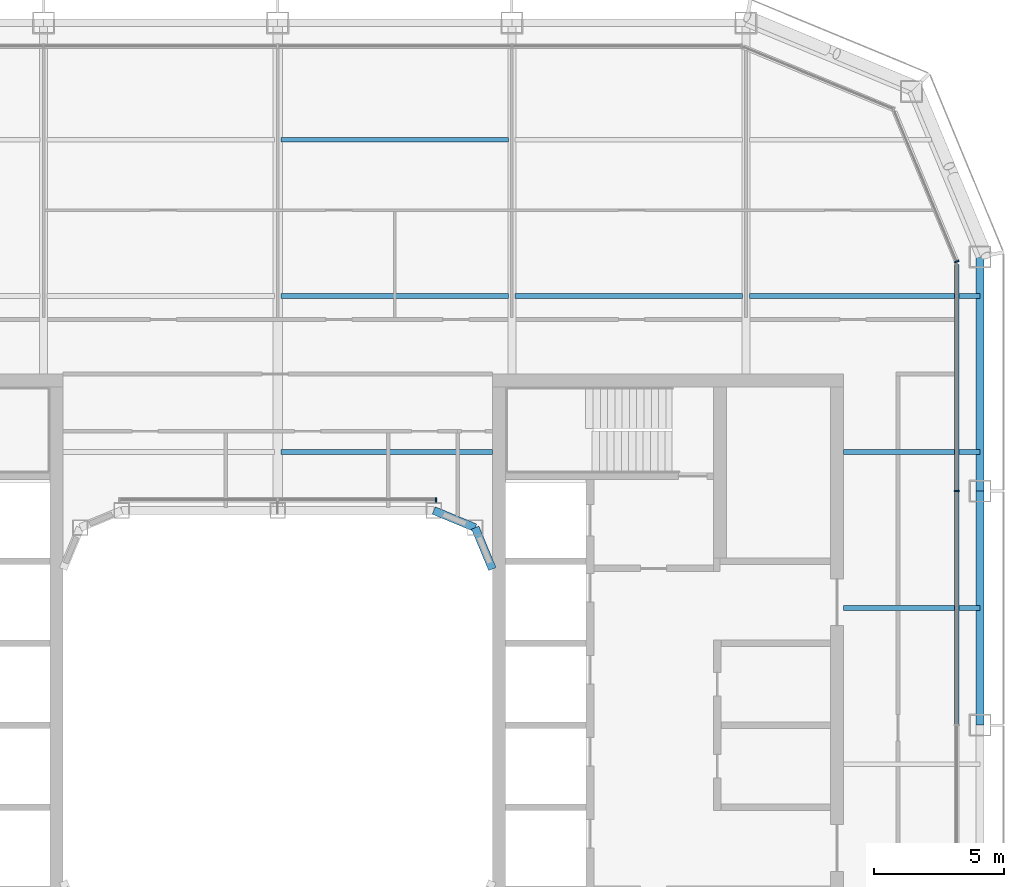
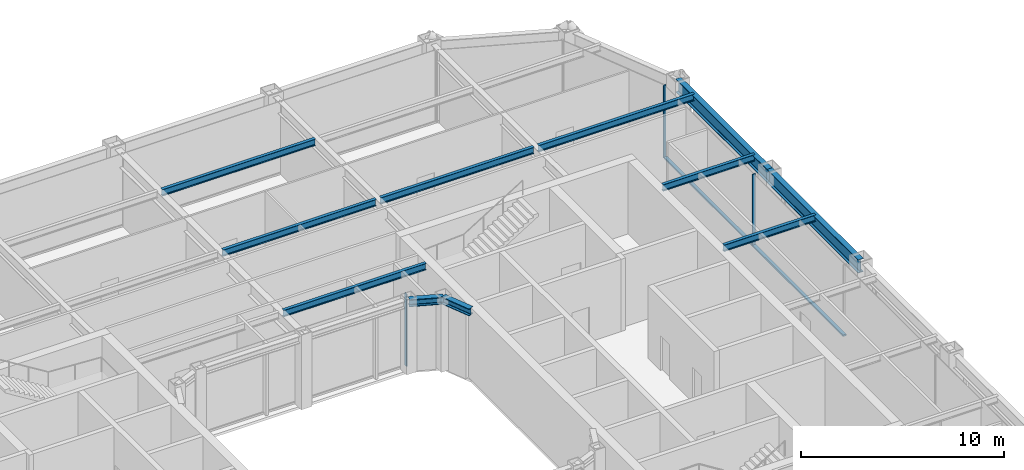
# One storey, part 9 of 23: 11 beams, 5 members, 3 elements without a shape of their own.
"""IFC4 building model written with IfcOpenShell, lengths in metres."""

from ifc_helpers import new_model, si_unit, direction, frame, origin, origin_2d, place, context, subcontext, project, spatial, rectangle, i_section, extrude, material, layer, layer_set, material_profile, profile_set, type_object, element, aggregate, save


model = new_model("IFC4")

# Units and contexts
model_context = context("Model", 3, precision=1e-05, world=origin(), true_north=direction((0.0, 1.0)))
body_context = subcontext(model_context, "Body", "Model", "MODEL_VIEW")
ifc_project = project(units=[si_unit("LENGTHUNIT", "METRE"), si_unit("AREAUNIT", "SQUARE_METRE"), si_unit("VOLUMEUNIT", "CUBIC_METRE"), si_unit("PLANEANGLEUNIT", "RADIAN"), si_unit("MASSUNIT", "GRAM", prefix="KILO")], contexts=[model_context])

# Site, building, storey
site_placement = place(None, origin())
site = spatial("IfcSite", under=ifc_project, at=site_placement, CompositionType="ELEMENT")
building_placement = place(site_placement, origin())
building = spatial("IfcBuilding", under=site, at=building_placement, Name="Siwar Civic Tower", CompositionType="ELEMENT")
storey_placement = place(building_placement, frame((0.0, 0.0, 197.199951171875)))
storey = spatial("IfcBuildingStorey", under=building, at=storey_placement, Name="L42", CompositionType="ELEMENT", Elevation=197.199951171875)

# Curtain wall, member
ifc_material_1 = material(Name="Aluminium and glass", Category="aluminium")
ifc_layer_1 = layer(ifc_material_1, 0.179931640625)
ifc_layer_set_1 = layer_set([ifc_layer_1], Name="Aluminium and glass")
curtain_wall_type_1 = type_object("IfcCurtainWallType", Name="ENV-CW-C", PredefinedType="NOTDEFINED", material=ifc_layer_set_1)
curtain_wall_1_placement = place(storey_placement, origin())
curtain_wall_1 = element("IfcCurtainWall", 1, at=curtain_wall_1_placement, inside=storey, type_object=curtain_wall_type_1, Name="Curtain wall C E", PredefinedType="NOTDEFINED")
ifc_material_2 = material(Name="Aluminium 6063-T6", Category="aluminium")
ifc_material_profile_1 = material_profile(ifc_material_2, rectangle(XDim=0.179931640625, YDim=0.06005859375, at=origin_2d()), Name="AL 180x60")
ifc_profile_set_1 = profile_set([ifc_material_profile_1], Name="Aluminium 6063-T6")
member_type_1 = type_object("IfcMemberType", Name="ENV-MULLION-C", PredefinedType="MULLION", material=ifc_profile_set_1)
member_1_placement = place(storey_placement, frame((26.10009765625, 9.0, 0.0), z_axis=(0.0, 0.0, 1.0), x_axis=(-1.0, 0.0, 0.0)))
member_1 = element("IfcMember", 2, at=member_1_placement, type_object=member_type_1, Name="Mullion C E 4", PredefinedType="MULLION", context=body_context, shape_type="SweptSolid", body=[
    extrude(rectangle(XDim=0.179931640625, YDim=0.06005859375, at=origin_2d()), origin(), (0.0, 0.0, 1.0), 4.35009765625),
])

ifc_material_3 = material(Name="Aluminium clad insulated panel", Category="aluminium")
ifc_layer_2 = layer(ifc_material_3, 0.179931640625)
ifc_layer_set_2 = layer_set([ifc_layer_2], Name="Aluminium clad insulated panel")
curtain_wall_type_2 = type_object("IfcCurtainWallType", Name="ENV-CW-CX", PredefinedType="NOTDEFINED", material=ifc_layer_set_2)
curtain_wall_2_placement = place(storey_placement, origin())
curtain_wall_2 = element("IfcCurtainWall", 3, at=curtain_wall_2_placement, inside=storey, type_object=curtain_wall_type_2, Name="Curtain wall C NE1", PredefinedType="NOTDEFINED")
member_2_placement = place(storey_placement, frame((26.10009765625, 17.821044921875, 0.0), z_axis=(0.0, 0.0, 1.0), x_axis=(-0.923879532511, -0.382683432365, 0.0)))
member_2 = element("IfcMember", 4, at=member_2_placement, type_object=member_type_1, Name="Mullion C NE1 1", PredefinedType="MULLION", context=body_context, shape_type="SweptSolid", body=[
    extrude(rectangle(XDim=0.179931640625, YDim=0.06005859375, at=origin_2d()), origin(), (0.0, 0.0, 1.0), 4.35009765625),
])
aggregate(curtain_wall_2, [member_2])

ifc_material_4 = material(Name="Aluminium and glass", Category="aluminium")
ifc_layer_3 = layer(ifc_material_4, 0.179931640625)
ifc_layer_set_3 = layer_set([ifc_layer_3], Name="Aluminium and glass")
curtain_wall_type_3 = type_object("IfcCurtainWallType", Name="ENV-CW-W", PredefinedType="NOTDEFINED", material=ifc_layer_set_3)
curtain_wall_3_placement = place(storey_placement, origin())
curtain_wall_3 = element("IfcCurtainWall", 5, at=curtain_wall_3_placement, inside=storey, type_object=curtain_wall_type_3, Name="Curtain wall W WN", PredefinedType="NOTDEFINED")
ifc_material_5 = material(Name="Aluminium 6063-T6", Category="aluminium")
ifc_material_profile_2 = material_profile(ifc_material_5, rectangle(XDim=0.179931640625, YDim=0.06005859375, at=origin_2d()), Name="AL 180x60")
ifc_profile_set_2 = profile_set([ifc_material_profile_2], Name="Aluminium 6063-T6")
member_type_2 = type_object("IfcMemberType", Name="ENV-MULLION-W", PredefinedType="MULLION", material=ifc_profile_set_2)
member_3_placement = place(storey_placement, frame((6.08154296875, 8.659912109375, 0.0), z_axis=(0.0, 0.0, 1.0), x_axis=(0.0, -1.0, 0.0)))
member_3 = element("IfcMember", 6, at=member_3_placement, type_object=member_type_2, Name="Mullion W WN 1", PredefinedType="MULLION", context=body_context, shape_type="SweptSolid", body=[
    extrude(rectangle(XDim=0.179931640625, YDim=0.06005859375, at=origin_2d()), origin(), (0.0, 0.0, 1.0), 4.35009765625),
])
aggregate(curtain_wall_3, [member_3])

# Member
ifc_material_6 = material(Name="Aluminium 6063-T6", Category="aluminium")
ifc_material_profile_3 = material_profile(ifc_material_6, rectangle(XDim=0.179931640625, YDim=0.10009765625, at=origin_2d()), Name="AL 180x100")
ifc_profile_set_3 = profile_set([ifc_material_profile_3], Name="Aluminium 6063-T6")
member_type_3 = type_object("IfcMemberType", Name="ENV-TRANSOM-C", PredefinedType="USERDEFINED", material=ifc_profile_set_3)
member_4_placement = place(storey_placement, frame((26.10009765625, 0.030029296875, 0.050048828125), z_axis=(0.0, 1.0, 0.0), x_axis=(-1.0, 0.0, 0.0)))
member_4 = element("IfcMember", 7, at=member_4_placement, type_object=member_type_3, Name="Transom C E 3", ObjectType="TRANSOM", PredefinedType="USERDEFINED", context=body_context, shape_type="SweptSolid", body=[
    extrude(rectangle(XDim=0.179931640625, YDim=0.10009765625, at=origin_2d()), origin(), (0.0, 0.0, 1.0), 8.93994140625),
])

member_5_placement = place(storey_placement, frame((26.10009765625, 9.030029296875, 0.050048828125), z_axis=(0.0, 1.0, 0.0), x_axis=(-1.0, 0.0, 0.0)))
member_5 = element("IfcMember", 8, at=member_5_placement, type_object=member_type_3, Name="Transom C E 4", ObjectType="TRANSOM", PredefinedType="USERDEFINED", context=body_context, shape_type="SweptSolid", body=[
    extrude(rectangle(XDim=0.179931640625, YDim=0.10009765625, at=origin_2d()), origin(), (0.0, 0.0, 1.0), 8.68603515625),
])

aggregate(curtain_wall_1, [member_1, member_4, member_5])

# Beams
ifc_material_7 = material(Name="Steel S355", Category="steel")
ifc_material_profile_4 = material_profile(ifc_material_7, i_section(OverallWidth=0.179931640625, OverallDepth=0.39990234375, WebThickness=0.008544921875, FlangeThickness=0.013427734375, FilletRadius=0.02099609375, at=origin_2d()), Name="IPE400")
ifc_profile_set_4 = profile_set([ifc_material_profile_4], Name="Steel S355")
beam_type_1 = type_object("IfcBeamType", Name="STR-FB-IPE400", PredefinedType="JOIST", material=ifc_profile_set_4)
beam_1_placement = place(storey_placement, frame((21.75, 4.5, 4.150146484375), z_axis=(1.0, 0.0, 0.0), x_axis=(0.0, 1.0, 0.0)))
element("IfcBeam", 9, at=beam_1_placement, inside=storey, type_object=beam_type_1, Name="L42/bm/F026", PredefinedType="JOIST", context=body_context, shape_type="SweptSolid", body=[
    extrude(i_section(OverallWidth=0.179931640625, OverallDepth=0.39990234375, WebThickness=0.008544921875, FlangeThickness=0.013427734375, FilletRadius=0.02099609375, at=origin_2d()), origin(), (0.0, 0.0, 1.0), 5.25),
])
beam_2_placement = place(storey_placement, frame((0.1298828125, 10.5, 4.150146484375), z_axis=(1.0, 0.0, 0.0), x_axis=(0.0, 1.0, 0.0)))
element("IfcBeam", 10, at=beam_2_placement, inside=storey, type_object=beam_type_1, Name="L42/bm/F029", PredefinedType="JOIST", context=body_context, shape_type="SweptSolid", body=[
    extrude(i_section(OverallWidth=0.179931640625, OverallDepth=0.39990234375, WebThickness=0.008544921875, FlangeThickness=0.013427734375, FilletRadius=0.02099609375, at=origin_2d()), origin(), (0.0, 0.0, 1.0), 8.1201171875),
])
beam_3_placement = place(storey_placement, frame((21.75, 10.5, 4.150146484375), z_axis=(1.0, 0.0, 0.0), x_axis=(0.0, 1.0, 0.0)))
element("IfcBeam", 11, at=beam_3_placement, inside=storey, type_object=beam_type_1, Name="L42/bm/F030", PredefinedType="JOIST", context=body_context, shape_type="SweptSolid", body=[
    extrude(i_section(OverallWidth=0.179931640625, OverallDepth=0.39990234375, WebThickness=0.008544921875, FlangeThickness=0.013427734375, FilletRadius=0.02099609375, at=origin_2d()), origin(), (0.0, 0.0, 1.0), 5.25),
])
for number, where, z_axis, x_axis, name in (
    (12, (0.1298828125, 16.5, 4.150146484375), (1.0, 0.0, 0.0), (0.0, 1.0, 0.0), "L42/bm/F034"),
    (13, (9.1298828125, 16.5, 4.150146484375), (1.0, 0.0, 0.0), (0.0, 1.0, 0.0), "L42/bm/F035"),
):
    element("IfcBeam", number, at=place(storey_placement, frame(where, z_axis=z_axis, x_axis=x_axis)), inside=storey, type_object=beam_type_1, Name=name, PredefinedType="JOIST", context=body_context, shape_type="SweptSolid", body=[
        extrude(i_section(OverallWidth=0.179931640625, OverallDepth=0.39990234375, WebThickness=0.008544921875, FlangeThickness=0.013427734375, FilletRadius=0.02099609375, at=origin_2d()), origin(), (0.0, 0.0, 1.0), 8.740234375),
    ])
beam_4_placement = place(storey_placement, frame((18.1298828125, 16.5, 4.150146484375), z_axis=(1.0, 0.0, 0.0), x_axis=(0.0, 1.0, 0.0)))
element("IfcBeam", 14, at=beam_4_placement, inside=storey, type_object=beam_type_1, Name="L42/bm/F036", PredefinedType="JOIST", context=body_context, shape_type="SweptSolid", body=[
    extrude(i_section(OverallWidth=0.179931640625, OverallDepth=0.39990234375, WebThickness=0.008544921875, FlangeThickness=0.013427734375, FilletRadius=0.02099609375, at=origin_2d()), origin(), (0.0, 0.0, 1.0), 8.8701171875),
])
beam_5_placement = place(storey_placement, frame((0.1298828125, 22.5, 4.150146484375), z_axis=(1.0, 0.0, 0.0), x_axis=(0.0, 1.0, 0.0)))
element("IfcBeam", 15, at=beam_5_placement, inside=storey, type_object=beam_type_1, Name="L42/bm/F040", PredefinedType="JOIST", context=body_context, shape_type="SweptSolid", body=[
    extrude(i_section(OverallWidth=0.179931640625, OverallDepth=0.39990234375, WebThickness=0.008544921875, FlangeThickness=0.013427734375, FilletRadius=0.02099609375, at=origin_2d()), origin(), (0.0, 0.0, 1.0), 8.740234375),
])
ifc_material_8 = material(Name="Steel S355", Category="steel")
ifc_material_profile_5 = material_profile(ifc_material_8, i_section(OverallWidth=0.306884765625, OverallDepth=0.431884765625, WebThickness=0.02099609375, FlangeThickness=0.0400390625, FilletRadius=0.027099609375, at=origin_2d()), Name="HEM400")
ifc_profile_set_5 = profile_set([ifc_material_profile_5], Name="Steel S355")
beam_type_2 = type_object("IfcBeamType", Name="STR-RB-HEM400", PredefinedType="BEAM", material=ifc_profile_set_5)
for number, where, z_axis, x_axis, name in (
    (16, (6.0, 8.25, 4.134033203125), (0.923901072997, -0.382631424892, 0.0), (0.382631424892, 0.923901072997, 0.0), "L42/bm/RN3"),
    (17, (7.591064453125, 7.591064453125, 4.134033203125), (0.382631424892, -0.923901072997, 0.0), (0.923901072997, 0.382631424892, 0.0), "L42/bm/RNEE"),
):
    element("IfcBeam", number, at=place(storey_placement, frame(where, z_axis=z_axis, x_axis=x_axis)), inside=storey, type_object=beam_type_2, Name=name, PredefinedType="BEAM", context=body_context, shape_type="SweptSolid", body=[
        extrude(i_section(OverallWidth=0.306884765625, OverallDepth=0.431884765625, WebThickness=0.02099609375, FlangeThickness=0.0400390625, FilletRadius=0.027099609375, at=origin_2d()), origin(), (0.0, 0.0, 1.0), 1.72216796875),
    ])
ifc_material_9 = material(Name="Steel S355", Category="steel")
ifc_material_profile_6 = material_profile(ifc_material_9, i_section(OverallWidth=0.300048828125, OverallDepth=0.800048828125, WebThickness=0.017578125, FlangeThickness=0.032958984375, FilletRadius=0.030029296875, at=origin_2d()), Name="HEB800")
ifc_profile_set_6 = profile_set([ifc_material_profile_6], Name="Steel S355")
beam_type_3 = type_object("IfcBeamType", Name="STR-SB-HEB800", PredefinedType="BEAM", material=ifc_profile_set_6)
for number, where, z_axis, x_axis, name in (
    (18, (27.0, 0.0, 3.949951171875), (0.0, 1.0, 0.0), (-1.0, 0.0, 0.0), "L42/bm/SE-2"),
    (19, (27.0, 9.0, 3.949951171875), (0.0, 1.0, 0.0), (-1.0, 0.0, 0.0), "L42/bm/SE-3"),
):
    element("IfcBeam", number, at=place(storey_placement, frame(where, z_axis=z_axis, x_axis=x_axis)), inside=storey, type_object=beam_type_3, Name=name, PredefinedType="BEAM", context=body_context, shape_type="SweptSolid", body=[
        extrude(i_section(OverallWidth=0.300048828125, OverallDepth=0.800048828125, WebThickness=0.017578125, FlangeThickness=0.032958984375, FilletRadius=0.030029296875, at=origin_2d()), origin(), (0.0, 0.0, 1.0), 9.0),
    ])

save(model, "model.ifc")
